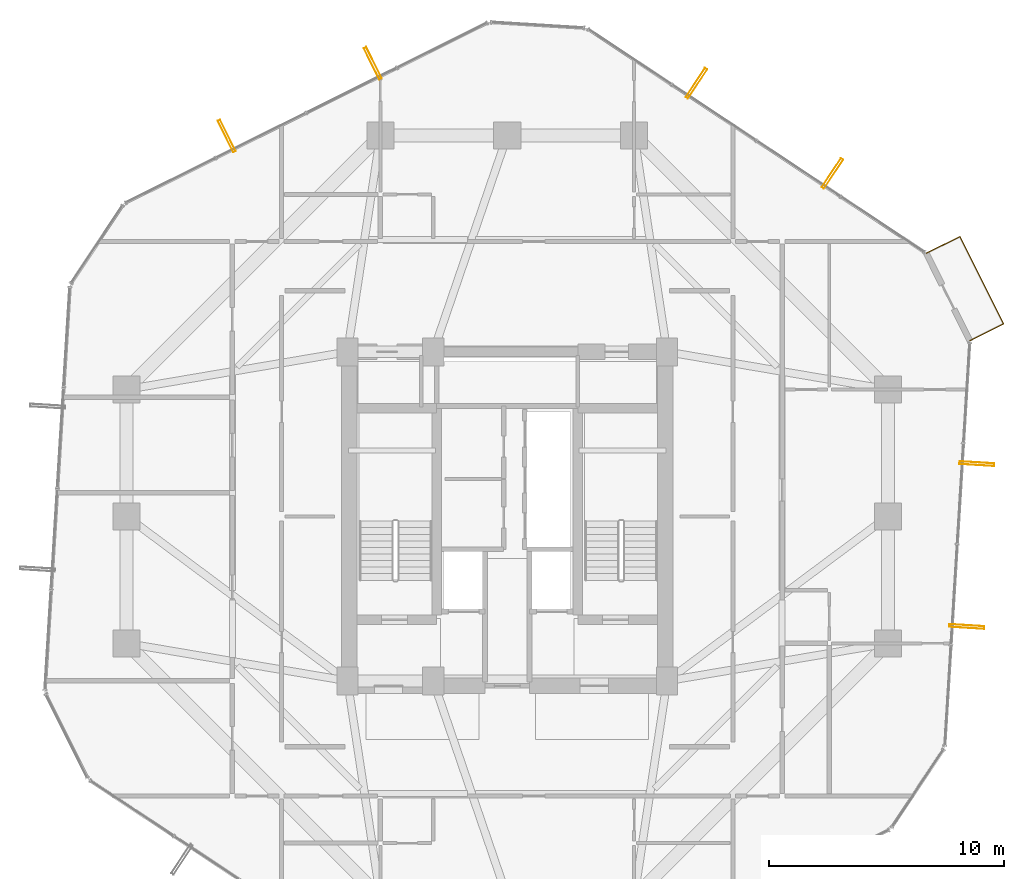
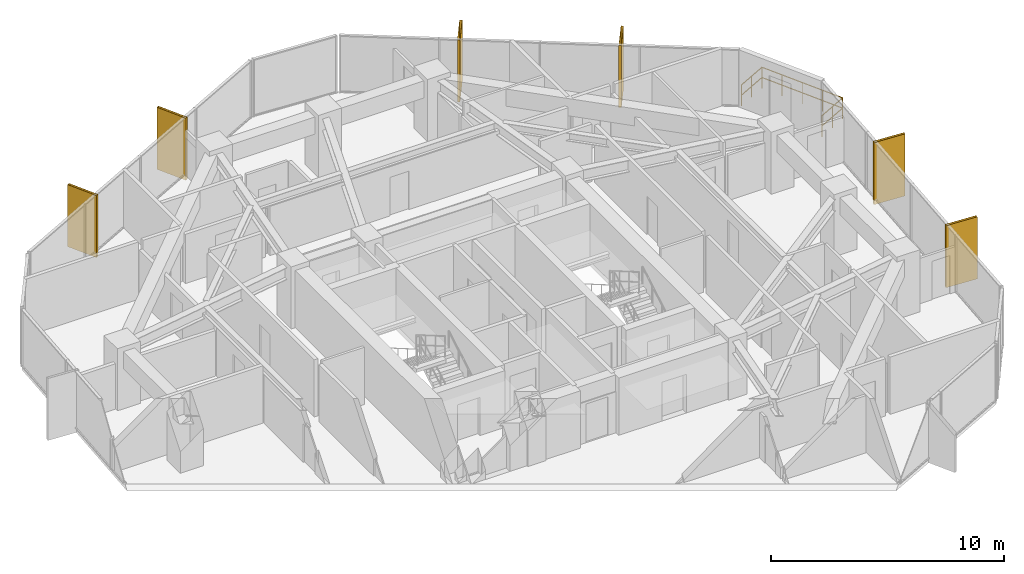
# One storey, part 30 of 30: 6 shading devices, 1 railing.
"""IFC4 building model written with IfcOpenShell, lengths in metres."""

import ifcopenshell
import ifcopenshell.guid

model = None  # the IFC model being written
_history = None  # IfcOwnerHistory: only IFC2X3 demands one
_inside = {}  # id of a spatial element -> (the spatial element, [elements in it])
_under = {}  # id of a project, library or spatial element -> (it, [spatial elements below it])
_declared = {}  # id of a project -> (the project, [libraries it declares])
_typed = {}  # id of a type object -> (the type object, [elements of that type])
_made_of = {}  # id of a material, layer set ... -> (it, [elements and type objects made of it])


def new_model(schema):
    """Start an empty IFC model of exactly this schema.

    Asked for "IFC4X3", IfcOpenShell would pick the latest addendum, in which some entities
    have other attributes; the version numbers below select the first issue.
    IFC2X3 requires an IfcOwnerHistory on every rooted entity: one is made here for all.
    """
    global model, _history
    if schema == "IFC4X3":
        model = ifcopenshell.file(schema_version=(4, 3, 0, 0))
    else:
        model = ifcopenshell.file(schema=schema)
    _inside.clear()
    _under.clear()
    _declared.clear()
    _typed.clear()
    _made_of.clear()
    _history = None
    if model.schema == "IFC2X3":
        org = make("IfcOrganization", Name="unknown")
        user = make(
            "IfcPersonAndOrganization",
            ThePerson=make("IfcPerson", FamilyName="unknown"),
            TheOrganization=org,
        )
        app = make(
            "IfcApplication",
            ApplicationDeveloper=org,
            Version="unknown",
            ApplicationFullName="unknown",
            ApplicationIdentifier="unknown",
        )
        _history = make(
            "IfcOwnerHistory",
            OwningUser=user,
            OwningApplication=app,
            ChangeAction="ADDED",
            CreationDate=0,
        )
    return model


def make(cls, **values):
    """One entity of the class cls with the attributes given. An attribute that is None is left unset."""
    return model.create_entity(
        cls, **{name: value for name, value in values.items() if value is not None}
    )


def rooted(cls, **values):
    """An entity with a GlobalId (a new one), such as an element, a storey or a relation."""
    return make(cls, GlobalId=ifcopenshell.guid.new(), OwnerHistory=_history, **values)


def si_unit(unit_type, name, prefix=None):
    """IfcSIUnit, for example si_unit("LENGTHUNIT", "METRE", prefix="MILLI")."""
    return make("IfcSIUnit", UnitType=unit_type, Prefix=prefix, Name=name)


def assignment(units):
    """IfcUnitAssignment: the units of a project."""
    return None if units is None else make("IfcUnitAssignment", Units=units)


def point(xyz):
    """IfcCartesianPoint."""
    return None if xyz is None else make("IfcCartesianPoint", Coordinates=xyz)


def direction(xyz):
    """IfcDirection."""
    return None if xyz is None else make("IfcDirection", DirectionRatios=xyz)


def frame(location, z_axis=None, x_axis=None):
    """IfcAxis2Placement3D, a coordinate frame: its origin and axes. An axis left out is left unset."""
    return make(
        "IfcAxis2Placement3D",
        Location=point(location),
        Axis=direction(z_axis),
        RefDirection=direction(x_axis),
    )


def frame_2d(location, x_axis=None):
    """IfcAxis2Placement2D, a coordinate frame in the plane: its origin and x axis."""
    return make(
        "IfcAxis2Placement2D", Location=point(location), RefDirection=direction(x_axis)
    )


def origin():
    """The frame at (0, 0, 0) with its axes left unset."""
    return frame((0.0, 0.0, 0.0))


def origin_2d():
    """The frame at (0, 0) in the plane with its x axis left unset."""
    return frame_2d((0.0, 0.0))


def place(relative_to, where):
    """IfcLocalPlacement: puts the frame where relative to a parent placement (None: the world)."""
    return make(
        "IfcLocalPlacement", PlacementRelTo=relative_to, RelativePlacement=where
    )


def context(
    kind, dimensions, precision=None, world=None, true_north=None, identifier=None
):
    """IfcGeometricRepresentationContext, for example the 3D "Model" context."""
    return make(
        "IfcGeometricRepresentationContext",
        ContextIdentifier=identifier,
        ContextType=kind,
        CoordinateSpaceDimension=dimensions,
        Precision=precision,
        WorldCoordinateSystem=world,
        TrueNorth=true_north,
    )


def subcontext(parent, identifier, kind, view, scale=None):
    """IfcGeometricRepresentationSubContext, for example "Body" below "Model"."""
    return make(
        "IfcGeometricRepresentationSubContext",
        ContextIdentifier=identifier,
        ContextType=kind,
        ParentContext=parent,
        TargetScale=scale,
        TargetView=view,
    )


def project(units=None, contexts=None):
    """IfcProject with its units and contexts."""
    return rooted(
        "IfcProject",
        Name="project",
        RepresentationContexts=contexts,
        UnitsInContext=assignment(units),
    )


def spatial(cls, under=None, at=None, **own):
    """A site, building, storey or space (cls), placed at a placement, below another one or the project."""
    s = rooted(cls, ObjectPlacement=at, **own)
    if under is not None:
        _under.setdefault(under.id(), (under, []))[1].append(s)
    return s


def profile(cls, at=None, kind="AREA", **sizes):
    """A parametric profile (cls). Its sizes go by their IFC names, for example OverallWidth=200.0."""
    return make(cls, ProfileType=kind, Position=at, **sizes)


def hollow_rectangle(**sizes):
    """IfcRectangleHollowProfileDef."""
    return profile("IfcRectangleHollowProfileDef", **sizes)


def circle(**sizes):
    """IfcCircleProfileDef."""
    return profile("IfcCircleProfileDef", **sizes)


def extrude(swept, where, along, depth):
    """IfcExtrudedAreaSolid: the profile swept, set in the frame where, extruded along a direction by depth."""
    return make(
        "IfcExtrudedAreaSolid",
        SweptArea=swept,
        Position=where,
        ExtrudedDirection=direction(along),
        Depth=depth,
    )


def shape(context_of_items, identifier, shape_type, items):
    """IfcShapeRepresentation: the items that make up one representation, for example the "Body"."""
    return make(
        "IfcShapeRepresentation",
        ContextOfItems=context_of_items,
        RepresentationIdentifier=identifier,
        RepresentationType=shape_type,
        Items=items,
    )


def material(Name=None, Category=None):
    """IfcMaterial."""
    return make("IfcMaterial", Name=Name, Category=Category)


def material_profile(
    of_material, cross_section, Name=None, Category=None, Priority=None
):
    """IfcMaterialProfile: a cross section and its material."""
    return make(
        "IfcMaterialProfile",
        Name=Name,
        Material=of_material,
        Profile=cross_section,
        Priority=Priority,
        Category=Category,
    )


def profile_set(profiles, Name=None, composite=None):
    """IfcMaterialProfileSet."""
    return make(
        "IfcMaterialProfileSet",
        Name=Name,
        MaterialProfiles=profiles,
        CompositeProfile=composite,
    )


def made_of(thing, what):
    """Note that an element or type object is made of a material, layer set ...; save() writes the relation."""
    if what is not None:
        _made_of.setdefault(what.id(), (what, []))[1].append(thing)
    return thing


def type_object(cls, material=None, **own):
    """A type object (cls), such as IfcWallType, which elements share."""
    return made_of(rooted(cls, **own), material)


def element(
    cls,
    number,
    at=None,
    inside=None,
    cuts=None,
    type_object=None,
    material=None,
    context=None,
    identifier="Body",
    shape_type=None,
    held_by="IfcProductDefinitionShape",
    body=None,
    shapes=None,
    **own,
):
    """One element of the class cls, such as IfcWall. Its Tag is "e" and its number.

    at: its placement. inside: the storey or other place that contains it. cuts: it is an
    opening in that element (IfcRelVoidsElement). A single representation is given by context,
    identifier, shape_type and body (its items); several are given by shapes. held_by: the class
    of the entity that holds the representations. save() writes the other relations.
    """
    e = rooted(cls, Tag="e%d" % number, ObjectPlacement=at, **own)
    if body is not None:
        shapes = [shape(context, identifier, shape_type, body)]
    if shapes is not None:
        e.Representation = make(held_by, Representations=shapes)
    if inside is not None:
        _inside.setdefault(inside.id(), (inside, []))[1].append(e)
    if cuts is not None:
        rooted(
            "IfcRelVoidsElement", RelatingBuildingElement=cuts, RelatedOpeningElement=e
        )
    if type_object is not None:
        _typed.setdefault(type_object.id(), (type_object, []))[1].append(e)
    return made_of(e, material)


def aggregate(whole, parts):
    """IfcRelAggregates: a whole, such as a stair, and the parts it consists of."""
    return rooted("IfcRelAggregates", RelatingObject=whole, RelatedObjects=parts)


def save(model, path):
    """Write the relations noted so far, then the file.

    IfcRelAggregates (storeys below a building ...), IfcRelContainedInSpatialStructure (elements
    in a storey), IfcRelDefinesByType, IfcRelAssociatesMaterial and IfcRelDeclares: one each for
    every whole, place, type object, material and project.
    """
    for whole, parts in _under.values():
        aggregate(whole, parts)
    for where, things in _inside.values():
        rooted(
            "IfcRelContainedInSpatialStructure",
            RelatedElements=things,
            RelatingStructure=where,
        )
    for kind, things in _typed.values():
        rooted("IfcRelDefinesByType", RelatedObjects=things, RelatingType=kind)
    for what, things in _made_of.values():
        rooted("IfcRelAssociatesMaterial", RelatedObjects=things, RelatingMaterial=what)
    for by, libraries in _declared.values():
        rooted("IfcRelDeclares", RelatingContext=by, RelatedDefinitions=libraries)
    model.write(path)


model = new_model("IFC4")

# Units and contexts
model_context = context("Model", 3, precision=1e-05, world=origin(), true_north=direction((0.0, 1.0)))
body_context = subcontext(model_context, "Body", "Model", "MODEL_VIEW")
ifc_project = project(units=[si_unit("LENGTHUNIT", "METRE"), si_unit("AREAUNIT", "SQUARE_METRE"), si_unit("VOLUMEUNIT", "CUBIC_METRE"), si_unit("PLANEANGLEUNIT", "RADIAN"), si_unit("MASSUNIT", "GRAM", prefix="KILO")], contexts=[model_context])

# Site, building, storey
site_placement = place(None, origin())
site = spatial("IfcSite", under=ifc_project, at=site_placement, CompositionType="ELEMENT")
building_placement = place(site_placement, origin())
building = spatial("IfcBuilding", under=site, at=building_placement, Name="Veraguas Prism Commons", CompositionType="ELEMENT")
storey_placement = place(building_placement, frame((0.0, 0.0, 116.5)))
storey = spatial("IfcBuildingStorey", under=building, at=storey_placement, Name="L32", CompositionType="ELEMENT", Elevation=116.5)

# Shading devices
ifc_material_1 = material(Name="Anodised aluminium EN AW-6063 T6", Category="aluminium")
ifc_material_profile = material_profile(ifc_material_1, hollow_rectangle(XDim=0.1201171875, YDim=1.489990234375, WallThickness=0.006103515625, at=origin_2d()), Name="FIN120X1490X6")
ifc_profile_set = profile_set([ifc_material_profile], Name="Anodised aluminium EN AW-6063 T6")
shading_device_type = type_object("IfcShadingDeviceType", Name="Deep Pale-Metal Vertical Solar Fin 120x1490", PredefinedType="USERDEFINED", material=ifc_profile_set)
for number, where, z_axis, x_axis, name in (
    (1, (37.8369140625, 38.591796875, -0.22998046875), (0.0, 0.0, 1.0), (-0.833501258506, 0.552517558155, 0.0), "Vertical Pale-Metal Solar Fin L32-F1A"),
    (2, (32.051025390625, 42.42724609375, -0.22998046875), (0.0, 0.0, 1.0), (-0.833501258506, 0.552517558155, 0.0), "Vertical Pale-Metal Solar Fin L32-F1B"),
    (3, (18.281494140625, 43.279052734375, -0.22998046875), (0.0, 0.0, 1.0), (-0.895246425995, -0.445571359878, 0.0), "Vertical Pale-Metal Solar Fin L32-F2A"),
    (4, (12.06689453125, 40.18603515625, -0.22998046875), (0.0, 0.0, 1.0), (-0.895246425995, -0.445571359878, 0.0), "Vertical Pale-Metal Solar Fin L32-F2B"),
    (5, (43.555419921875, 19.312744140625, -0.22998046875), (0.0, 0.0, 1.0), (0.061741870147, 0.998092150791, 0.0), "Vertical Pale-Metal Solar Fin L32-F6A"),
    (6, (43.98388671875, 26.2412109375, -0.22998046875), (0.0, 0.0, 1.0), (0.061741870147, 0.998092150791, 0.0), "Vertical Pale-Metal Solar Fin L32-F6B"),
):
    element("IfcShadingDevice", number, at=place(storey_placement, frame(where, z_axis=z_axis, x_axis=x_axis)), inside=storey, type_object=shading_device_type, Name=name, ObjectType="FIN", PredefinedType="USERDEFINED", context=body_context, shape_type="SweptSolid", body=[
        extrude(hollow_rectangle(XDim=0.1201171875, YDim=1.489990234375, WallThickness=0.006103515625, at=origin_2d()), origin(), (0.0, 0.0, 1.0), 3.25),
    ])

# Railing
ifc_material_2 = material(Name="Stainless steel AISI 316", Category="steel")
railing_type = type_object("IfcRailingType", Name="Loggia and Sky Pool Glazed Balustrade 1120", PredefinedType="BALUSTRADE", material=ifc_material_2)
railing_placement = place(storey_placement, frame((43.681640625, 31.476318359375, 0.0)))
element("IfcRailing", 7, at=railing_placement, inside=storey, type_object=railing_type, Name="Recessed Corner Loggia L32-C1 Guard", PredefinedType="BALUSTRADE", context=body_context, shape_type="SweptSolid", body=[
    extrude(circle(Radius=0.02392578125, at=origin_2d()), frame((0.0, 0.0, 1.09619140625), z_axis=(0.895249662603, 0.445564856793, 0.0), x_axis=(-0.445564856793, 0.895249662603, 0.0)), (0.0, 0.0, 1.0), 1.599853515625),
    extrude(circle(Radius=0.02392578125, at=origin_2d()), frame((0.0, 0.0, 0.56005859375), z_axis=(0.895249662603, 0.445564856793, 0.0), x_axis=(-0.445564856793, 0.895249662603, 0.0)), (0.0, 0.0, 1.0), 1.599853515625),
    extrude(circle(Radius=0.02392578125, at=origin_2d()), frame((1.432373046875, 0.712890625, 1.09619140625), z_axis=(-0.445590393382, 0.895236952614, 0.0), x_axis=(-0.895236952614, -0.445590393382, 0.0)), (0.0, 0.0, 1.0), 4.153076171875),
    extrude(circle(Radius=0.02392578125, at=origin_2d()), frame((1.432373046875, 0.712890625, 0.56005859375), z_axis=(-0.445590393382, 0.895236952614, 0.0), x_axis=(-0.895236952614, -0.445590393382, 0.0)), (0.0, 0.0, 1.0), 4.153076171875),
    extrude(circle(Radius=0.02392578125, at=origin_2d()), frame((-0.418212890625, 4.430908203125, 1.09619140625), z_axis=(-0.895249662603, -0.445564856793, 0.0), x_axis=(0.445564856793, -0.895249662603, 0.0)), (0.0, 0.0, 1.0), 1.599853515625),
    extrude(circle(Radius=0.02392578125, at=origin_2d()), frame((-0.418212890625, 4.430908203125, 0.56005859375), z_axis=(-0.895249662603, -0.445564856793, 0.0), x_axis=(0.445564856793, -0.895249662603, 0.0)), (0.0, 0.0, 1.0), 1.599853515625),
    extrude(circle(Radius=0.02099609375, at=origin_2d()), origin(), (0.0, 0.0, 1.0), 1.072021484375),
    extrude(circle(Radius=0.02099609375, at=origin_2d()), frame((0.71630859375, 0.3564453125, 0.0)), (0.0, 0.0, 1.0), 1.072021484375),
    extrude(circle(Radius=0.02099609375, at=origin_2d()), frame((1.432373046875, 0.712890625, 0.0)), (0.0, 0.0, 1.0), 1.072021484375),
    extrude(circle(Radius=0.02099609375, at=origin_2d()), frame((0.9697265625, 1.642333984375, 0.0)), (0.0, 0.0, 1.0), 1.072021484375),
    extrude(circle(Radius=0.02099609375, at=origin_2d()), frame((0.507080078125, 2.57177734375, 0.0)), (0.0, 0.0, 1.0), 1.072021484375),
    extrude(circle(Radius=0.02099609375, at=origin_2d()), frame((0.04443359375, 3.50146484375, 0.0)), (0.0, 0.0, 1.0), 1.072021484375),
    extrude(circle(Radius=0.02099609375, at=origin_2d()), frame((-0.418212890625, 4.430908203125, 0.0)), (0.0, 0.0, 1.0), 1.072021484375),
    extrude(circle(Radius=0.02099609375, at=origin_2d()), frame((-1.13427734375, 4.074462890625, 0.0)), (0.0, 0.0, 1.0), 1.072021484375),
    extrude(circle(Radius=0.02099609375, at=origin_2d()), frame((-1.8505859375, 3.718017578125, 0.0)), (0.0, 0.0, 1.0), 1.072021484375),
])

save(model, "model.ifc")
